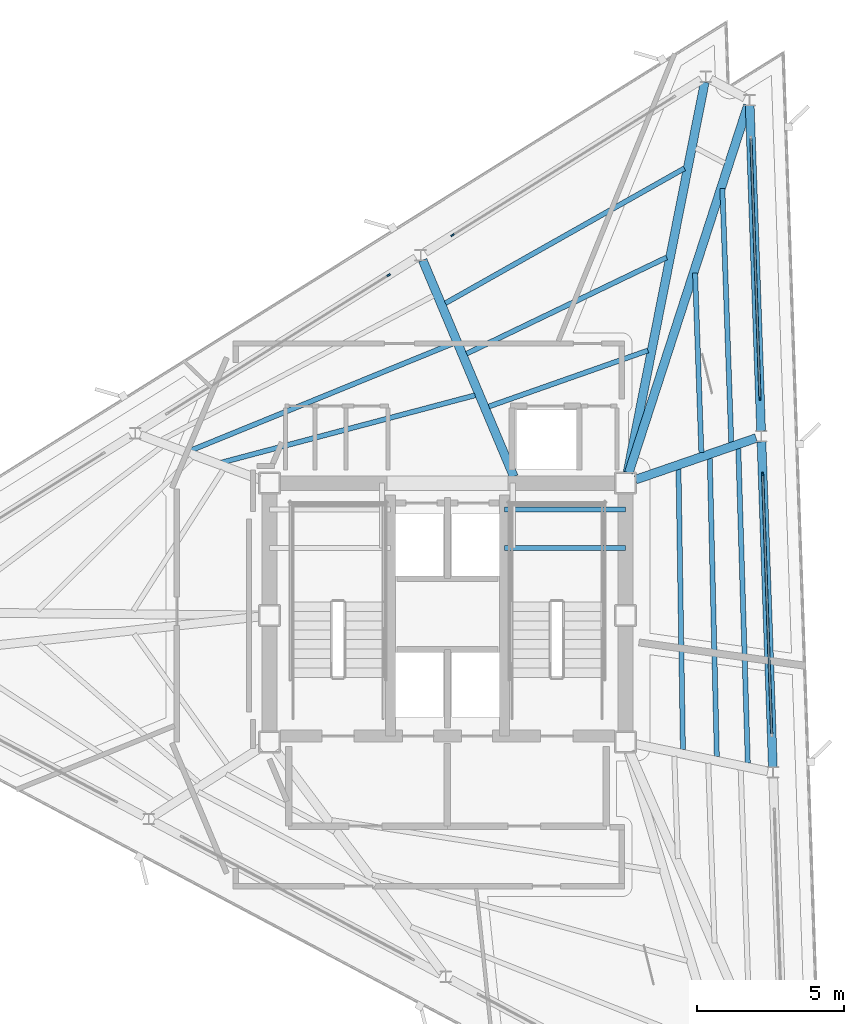
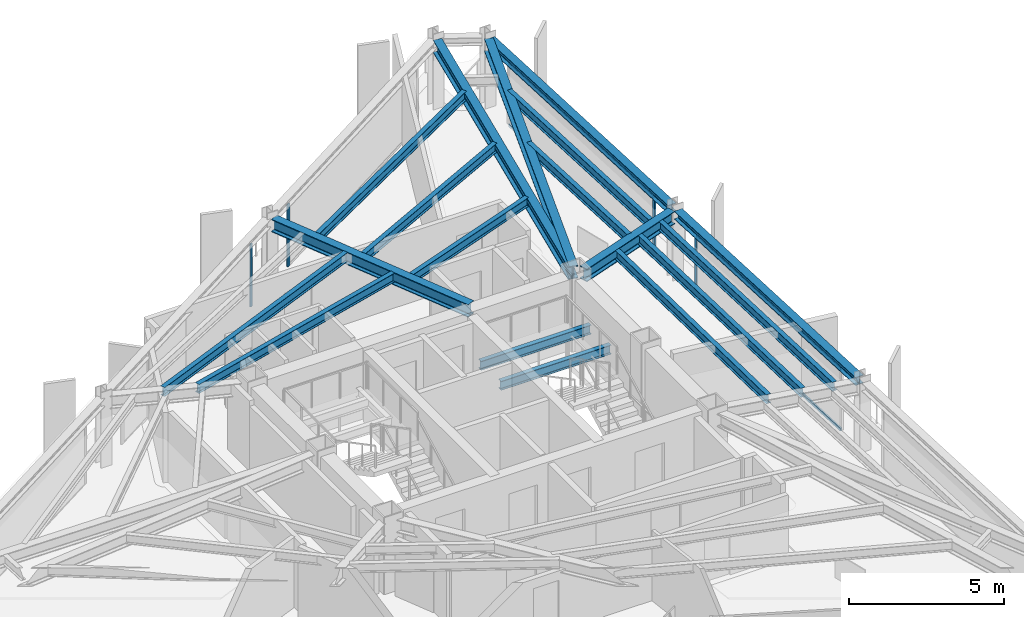
# One storey, part 5 of 13: 18 beams, 8 members, 4 elements without a shape of their own.
"""IFC4 building model written with IfcOpenShell, lengths in metres."""

from ifc_helpers import new_model, si_unit, direction, frame, origin, origin_2d, place, context, subcontext, project, spatial, rectangle, i_section, extrude, material, layer, layer_set, material_profile, profile_set, type_object, element, aggregate, save


model = new_model("IFC4")

# Units and contexts
model_context = context("Model", 3, precision=1e-05, world=origin(), true_north=direction((0.0, 1.0)))
body_context = subcontext(model_context, "Body", "Model", "MODEL_VIEW")
ifc_project = project(units=[si_unit("LENGTHUNIT", "METRE"), si_unit("AREAUNIT", "SQUARE_METRE"), si_unit("VOLUMEUNIT", "CUBIC_METRE"), si_unit("PLANEANGLEUNIT", "RADIAN"), si_unit("MASSUNIT", "GRAM", prefix="KILO")], contexts=[model_context])

# Site, building, storey
site_placement = place(None, origin())
site = spatial("IfcSite", under=ifc_project, at=site_placement, CompositionType="ELEMENT")
building_placement = place(site_placement, origin())
building = spatial("IfcBuilding", under=site, at=building_placement, Name="Rocaltana Carrier Exchange", CompositionType="ELEMENT")
storey_placement = place(building_placement, frame((0.0, 0.0, 202.719970703125)))
storey = spatial("IfcBuildingStorey", under=building, at=storey_placement, Name="L64", CompositionType="ELEMENT", Elevation=202.719970703125)

# Curtain wall, member
ifc_material_1 = material(Name="Aluminium 6063-T6", Category="aluminium")
ifc_layer = layer(ifc_material_1, 0.1201171875)
ifc_layer_set = layer_set([ifc_layer], Name="Aluminium 6063-T6")
curtain_wall_type = type_object("IfcCurtainWallType", Name="High-Altitude Thermal Curtain Wall CW-05", PredefinedType="NOTDEFINED", material=ifc_layer_set)
curtain_wall_1_placement = place(storey_placement, origin())
curtain_wall_1 = element("IfcCurtainWall", 1, at=curtain_wall_1_placement, inside=storey, type_object=curtain_wall_type, Name="L64 CW-05 Run CW-L64-F1S2", PredefinedType="NOTDEFINED")
ifc_material_2 = material(Name="Aluminium 6063-T6", Category="aluminium")
ifc_material_profile_1 = material_profile(ifc_material_2, rectangle(XDim=0.06005859375, YDim=0.1201171875, at=origin_2d()), Name="AL-60X120")
ifc_profile_set_1 = profile_set([ifc_material_profile_1], Name="Aluminium 6063-T6")
member_type_1 = type_object("IfcMemberType", Name="CW-05 Mullion AL-60X120", PredefinedType="MULLION", material=ifc_profile_set_1)
member_1_placement = place(storey_placement, frame((10.712890625, 4.8134765625, 0.0), z_axis=(0.0, 0.0, 1.0), x_axis=(-0.999390720156, -0.034902556738, 0.0)))
member_1 = element("IfcMember", 2, at=member_1_placement, type_object=member_type_1, Name="CW-05 mullion 2", PredefinedType="MULLION", context=body_context, shape_type="SweptSolid", body=[
    extrude(rectangle(XDim=0.06005859375, YDim=0.1201171875, at=origin_2d()), origin(), (0.0, 0.0, 1.0), 2.447998046875),
])

curtain_wall_2_placement = place(storey_placement, origin())
curtain_wall_2 = element("IfcCurtainWall", 3, at=curtain_wall_2_placement, inside=storey, type_object=curtain_wall_type, Name="L64 CW-05 Run CW-L64-F1S3", PredefinedType="NOTDEFINED")
member_2_placement = place(storey_placement, frame((10.62353515625, 7.371826171875, 0.0), z_axis=(0.0, 0.0, 1.0), x_axis=(-0.999390720156, -0.034902556738, 0.0)))
member_2 = element("IfcMember", 4, at=member_2_placement, type_object=member_type_1, Name="CW-05 mullion 1", PredefinedType="MULLION", context=body_context, shape_type="SweptSolid", body=[
    extrude(rectangle(XDim=0.06005859375, YDim=0.1201171875, at=origin_2d()), origin(), (0.0, 0.0, 1.0), 2.447998046875),
])

curtain_wall_3_placement = place(storey_placement, origin())
curtain_wall_3 = element("IfcCurtainWall", 5, at=curtain_wall_3_placement, inside=storey, type_object=curtain_wall_type, Name="L64 CW-05 Run CW-L64-F2S1", PredefinedType="NOTDEFINED")
member_3_placement = place(storey_placement, frame((0.171142578125, 12.9296875, 0.0), z_axis=(0.0, 0.0, 1.0), x_axis=(0.529928503412, -0.848042322807, 0.0)))
member_3 = element("IfcMember", 6, at=member_3_placement, type_object=member_type_1, Name="CW-05 mullion 2", PredefinedType="MULLION", context=body_context, shape_type="SweptSolid", body=[
    extrude(rectangle(XDim=0.06005859375, YDim=0.1201171875, at=origin_2d()), origin(), (0.0, 0.0, 1.0), 2.447998046875),
])
aggregate(curtain_wall_3, [member_3])

curtain_wall_4_placement = place(storey_placement, origin())
curtain_wall_4 = element("IfcCurtainWall", 7, at=curtain_wall_4_placement, inside=storey, type_object=curtain_wall_type, Name="L64 CW-05 Run CW-L64-F2S2", PredefinedType="NOTDEFINED")
member_4_placement = place(storey_placement, frame((-2.0, 11.572998046875, 0.0), z_axis=(0.0, 0.0, 1.0), x_axis=(0.529920452816, -0.848047353446, 0.0)))
member_4 = element("IfcMember", 8, at=member_4_placement, type_object=member_type_1, Name="CW-05 mullion 1", PredefinedType="MULLION", context=body_context, shape_type="SweptSolid", body=[
    extrude(rectangle(XDim=0.06005859375, YDim=0.1201171875, at=origin_2d()), origin(), (0.0, 0.0, 1.0), 2.447998046875),
])
aggregate(curtain_wall_4, [member_4])

# Member
ifc_material_3 = material(Name="Aluminium 6063-T6", Category="aluminium")
ifc_material_profile_2 = material_profile(ifc_material_3, rectangle(XDim=0.06005859375, YDim=0.1201171875, at=origin_2d()), Name="AL-60X120")
ifc_profile_set_2 = profile_set([ifc_material_profile_2], Name="Aluminium 6063-T6")
member_type_2 = type_object("IfcMemberType", Name="CW-05 Transom AL-60X120", PredefinedType="USERDEFINED", material=ifc_profile_set_2)
member_5_placement = place(storey_placement, frame((11.021484375, -4.024658203125, 0.030029296875), z_axis=(-0.034903051323, 0.999390702883, 0.0), x_axis=(-0.999390702883, -0.034903051323, 0.0)))
member_5 = element("IfcMember", 9, at=member_5_placement, type_object=member_type_2, Name="CW-05 transom 1.1", ObjectType="TRANSOM", PredefinedType="USERDEFINED", context=body_context, shape_type="SweptSolid", body=[
    extrude(rectangle(XDim=0.06005859375, YDim=0.1201171875, at=origin_2d()), origin(), (0.0, 0.0, 1.0), 8.8134765625),
])

member_6_placement = place(storey_placement, frame((11.021484375, -4.024658203125, 2.41796875), z_axis=(-0.034903051323, 0.999390702883, 0.0), x_axis=(-0.999390702883, -0.034903051323, 0.0)))
member_6 = element("IfcMember", 10, at=member_6_placement, type_object=member_type_2, Name="CW-05 transom 1.2", ObjectType="TRANSOM", PredefinedType="USERDEFINED", context=body_context, shape_type="SweptSolid", body=[
    extrude(rectangle(XDim=0.06005859375, YDim=0.1201171875, at=origin_2d()), origin(), (0.0, 0.0, 1.0), 8.8134765625),
])

aggregate(curtain_wall_1, [member_1, member_5, member_6])

member_7_placement = place(storey_placement, frame((10.62255859375, 7.40185546875, 0.030029296875), z_axis=(-0.034903051323, 0.999390702883, 0.0), x_axis=(-0.999390702883, -0.034903051323, 0.0)))
member_7 = element("IfcMember", 11, at=member_7_placement, type_object=member_type_2, Name="CW-05 transom 1.1", ObjectType="TRANSOM", PredefinedType="USERDEFINED", context=body_context, shape_type="SweptSolid", body=[
    extrude(rectangle(XDim=0.06005859375, YDim=0.1201171875, at=origin_2d()), origin(), (0.0, 0.0, 1.0), 8.8134765625),
])

member_8_placement = place(storey_placement, frame((10.62255859375, 7.40185546875, 2.41796875), z_axis=(-0.034903051323, 0.999390702883, 0.0), x_axis=(-0.999390702883, -0.034903051323, 0.0)))
member_8 = element("IfcMember", 12, at=member_8_placement, type_object=member_type_2, Name="CW-05 transom 1.2", ObjectType="TRANSOM", PredefinedType="USERDEFINED", context=body_context, shape_type="SweptSolid", body=[
    extrude(rectangle(XDim=0.06005859375, YDim=0.1201171875, at=origin_2d()), origin(), (0.0, 0.0, 1.0), 8.8134765625),
])

aggregate(curtain_wall_2, [member_2, member_7, member_8])

# Beams
ifc_material_4 = material(Name="Steel S355", Category="steel")
ifc_material_profile_3 = material_profile(ifc_material_4, i_section(OverallWidth=0.172119140625, OverallDepth=0.35791015625, WebThickness=0.0078125, FlangeThickness=0.01318359375, FilletRadius=0.011962890625, at=origin_2d()), Name="W14X38")
ifc_profile_set_3 = profile_set([ifc_material_profile_3], Name="Steel S355")
beam_type_1 = type_object("IfcBeamType", Name="Floor Joist W14X38", PredefinedType="JOIST", material=ifc_profile_set_3)
for number, where, z_axis, x_axis, name in (
    (13, (1.93994140625, 2.300048828125, 1.14111328125), (1.0, 0.0, 0.0), (0.0, 1.0, 0.0), "L64 ST-2 Landing Carrier 1"),
    (14, (1.93994140625, 3.60009765625, 1.14111328125), (1.0, 0.0, 0.0), (0.0, 1.0, 0.0), "L64 ST-2 Landing Carrier 2"),
):
    element("IfcBeam", number, at=place(storey_placement, frame(where, z_axis=z_axis, x_axis=x_axis)), inside=storey, type_object=beam_type_1, Name=name, PredefinedType="JOIST", context=body_context, shape_type="SweptSolid", body=[
        extrude(i_section(OverallWidth=0.172119140625, OverallDepth=0.35791015625, WebThickness=0.0078125, FlangeThickness=0.01318359375, FilletRadius=0.011962890625, at=origin_2d()), origin(), (0.0, 0.0, 1.0), 4.110107421875),
    ])
beam_1_placement = place(storey_placement, frame((8.00439453125, -4.55908203125, 2.619140625), z_axis=(-0.015819427731, 0.999874865024, 0.0), x_axis=(-0.999874865024, -0.015819427731, 0.0)))
element("IfcBeam", 15, at=beam_1_placement, inside=storey, type_object=beam_type_1, Name="FJ-L64-02-1", PredefinedType="JOIST", context=body_context, shape_type="SweptSolid", body=[
    extrude(i_section(OverallWidth=0.172119140625, OverallDepth=0.35791015625, WebThickness=0.0078125, FlangeThickness=0.01318359375, FilletRadius=0.011962890625, at=origin_2d()), origin(), (0.0, 0.0, 1.0), 9.53759765625),
])
beam_2_placement = place(storey_placement, frame((9.1572265625, -4.796875, 2.619140625), z_axis=(-0.023708273398, 0.999718919383, 0.0), x_axis=(-0.999718919383, -0.023708273398, 0.0)))
element("IfcBeam", 16, at=beam_2_placement, inside=storey, type_object=beam_type_1, Name="FJ-L64-02-2", PredefinedType="JOIST", context=body_context, shape_type="SweptSolid", body=[
    extrude(i_section(OverallWidth=0.172119140625, OverallDepth=0.35791015625, WebThickness=0.0078125, FlangeThickness=0.01318359375, FilletRadius=0.011962890625, at=origin_2d()), origin(), (0.0, 0.0, 1.0), 10.143310546875),
])
beam_3_placement = place(storey_placement, frame((10.2099609375, -5.013916015625, 2.619140625), z_axis=(-0.030150236213, 0.999545378288, 0.0), x_axis=(-0.999545378288, -0.030150236213, 0.0)))
element("IfcBeam", 17, at=beam_3_placement, inside=storey, type_object=beam_type_1, Name="FJ-L64-02-3", PredefinedType="JOIST", context=body_context, shape_type="SweptSolid", body=[
    extrude(i_section(OverallWidth=0.172119140625, OverallDepth=0.35791015625, WebThickness=0.0078125, FlangeThickness=0.01318359375, FilletRadius=0.011962890625, at=origin_2d()), origin(), (0.0, 0.0, 1.0), 10.69677734375),
])
beam_4_placement = place(storey_placement, frame((8.631103515625, 5.535888671875, 2.619140625), z_axis=(-0.034896830371, 0.999390920126, 0.0), x_axis=(-0.999390920126, -0.034896830371, 0.0)))
element("IfcBeam", 18, at=beam_4_placement, inside=storey, type_object=beam_type_1, Name="FJ-L64-03-2", PredefinedType="JOIST", context=body_context, shape_type="SweptSolid", body=[
    extrude(i_section(OverallWidth=0.172119140625, OverallDepth=0.35791015625, WebThickness=0.0078125, FlangeThickness=0.01318359375, FilletRadius=0.011962890625, at=origin_2d()), origin(), (0.0, 0.0, 1.0), 6.114501953125),
])
beam_5_placement = place(storey_placement, frame((9.647216796875, 5.88623046875, 2.619140625), z_axis=(-0.034909498386, 0.999390477703, 0.0), x_axis=(-0.999390477703, -0.034909498386, 0.0)))
element("IfcBeam", 19, at=beam_5_placement, inside=storey, type_object=beam_type_1, Name="FJ-L64-03-3", PredefinedType="JOIST", context=body_context, shape_type="SweptSolid", body=[
    extrude(i_section(OverallWidth=0.172119140625, OverallDepth=0.35791015625, WebThickness=0.0078125, FlangeThickness=0.01318359375, FilletRadius=0.011962890625, at=origin_2d()), origin(), (0.0, 0.0, 1.0), 8.630126953125),
])
beam_6_placement = place(storey_placement, frame((6.815673828125, 9.009521484375, 2.619140625), z_axis=(-0.943243231167, -0.332102705285, 0.0), x_axis=(0.332102705285, -0.943243231167, 0.0)))
element("IfcBeam", 20, at=beam_6_placement, inside=storey, type_object=beam_type_1, Name="FJ-L64-05-1", PredefinedType="JOIST", context=body_context, shape_type="SweptSolid", body=[
    extrude(i_section(OverallWidth=0.172119140625, OverallDepth=0.35791015625, WebThickness=0.0078125, FlangeThickness=0.01318359375, FilletRadius=0.011962890625, at=origin_2d()), origin(), (0.0, 0.0, 1.0), 5.732666015625),
])
beam_7_placement = place(storey_placement, frame((7.449951171875, 12.17138671875, 2.619140625), z_axis=(-0.90125874398, -0.433281290155, 0.0), x_axis=(0.433281290155, -0.90125874398, 0.0)))
element("IfcBeam", 21, at=beam_7_placement, inside=storey, type_object=beam_type_1, Name="FJ-L64-05-2", PredefinedType="JOIST", context=body_context, shape_type="SweptSolid", body=[
    extrude(i_section(OverallWidth=0.172119140625, OverallDepth=0.35791015625, WebThickness=0.0078125, FlangeThickness=0.01318359375, FilletRadius=0.011962890625, at=origin_2d()), origin(), (0.0, 0.0, 1.0), 7.543212890625),
])
beam_8_placement = place(storey_placement, frame((8.05517578125, 15.201171875, 2.619140625), z_axis=(-0.870951476943, -0.491369031187, 0.0), x_axis=(0.491369031187, -0.870951476943, 0.0)))
element("IfcBeam", 22, at=beam_8_placement, inside=storey, type_object=beam_type_1, Name="FJ-L64-05-3", PredefinedType="JOIST", context=body_context, shape_type="SweptSolid", body=[
    extrude(i_section(OverallWidth=0.172119140625, OverallDepth=0.35791015625, WebThickness=0.0078125, FlangeThickness=0.01318359375, FilletRadius=0.011962890625, at=origin_2d()), origin(), (0.0, 0.0, 1.0), 9.330078125),
])
beam_9_placement = place(storey_placement, frame((0.937744140625, 7.486083984375, 2.619140625), z_axis=(-0.966555608165, -0.256457123756, 0.0), x_axis=(0.256457123756, -0.966555608165, 0.0)))
element("IfcBeam", 23, at=beam_9_placement, inside=storey, type_object=beam_type_1, Name="FJ-L64-06-1", PredefinedType="JOIST", context=body_context, shape_type="SweptSolid", body=[
    extrude(i_section(OverallWidth=0.172119140625, OverallDepth=0.35791015625, WebThickness=0.0078125, FlangeThickness=0.01318359375, FilletRadius=0.011962890625, at=origin_2d()), origin(), (0.0, 0.0, 1.0), 8.92578125),
])
beam_10_placement = place(storey_placement, frame((0.192626953125, 9.25146484375, 2.619140625), z_axis=(-0.925846018296, -0.37790097963, 0.0), x_axis=(0.37790097963, -0.925846018296, 0.0)))
element("IfcBeam", 24, at=beam_10_placement, inside=storey, type_object=beam_type_1, Name="FJ-L64-06-2", PredefinedType="JOIST", context=body_context, shape_type="SweptSolid", body=[
    extrude(i_section(OverallWidth=0.172119140625, OverallDepth=0.35791015625, WebThickness=0.0078125, FlangeThickness=0.01318359375, FilletRadius=0.011962890625, at=origin_2d()), origin(), (0.0, 0.0, 1.0), 9.652587890625),
])
ifc_material_5 = material(Name="Steel S355", Category="steel")
ifc_material_profile_4 = material_profile(ifc_material_5, i_section(OverallWidth=0.300048828125, OverallDepth=0.320068359375, WebThickness=0.011474609375, FlangeThickness=0.0205078125, FilletRadius=0.027099609375, at=origin_2d()), Name="HEB320")
ifc_profile_set_4 = profile_set([ifc_material_profile_4], Name="Steel S355")
beam_type_2 = type_object("IfcBeamType", Name="Spandrel Edge Beam HEB320", PredefinedType="SPANDREL", material=ifc_profile_set_4)
beam_11_placement = place(storey_placement, frame((11.060791015625, -5.148193359375, 2.637939453125), z_axis=(-0.034892504549, 0.999391071166, 0.0), x_axis=(-0.999391071166, -0.034892504549, 0.0)))
element("IfcBeam", 25, at=beam_11_placement, inside=storey, type_object=beam_type_2, Name="SP-L64-02", PredefinedType="SPANDREL", context=body_context, shape_type="SweptSolid", body=[
    extrude(i_section(OverallWidth=0.300048828125, OverallDepth=0.320068359375, WebThickness=0.011474609375, FlangeThickness=0.0205078125, FilletRadius=0.027099609375, at=origin_2d()), origin(), (0.0, 0.0, 1.0), 11.062255859375),
])
beam_12_placement = place(storey_placement, frame((10.66162109375, 6.278076171875, 2.637939453125), z_axis=(-0.034891734961, 0.999391098035, 0.0), x_axis=(-0.999391098035, -0.034891734961, 0.0)))
element("IfcBeam", 26, at=beam_12_placement, inside=storey, type_object=beam_type_2, Name="SP-L64-03", PredefinedType="SPANDREL", context=body_context, shape_type="SweptSolid", body=[
    extrude(i_section(OverallWidth=0.300048828125, OverallDepth=0.320068359375, WebThickness=0.011474609375, FlangeThickness=0.0205078125, FilletRadius=0.027099609375, at=origin_2d()), origin(), (0.0, 0.0, 1.0), 11.0625),
])
ifc_material_6 = material(Name="Steel S355", Category="steel")
ifc_material_profile_5 = material_profile(ifc_material_6, i_section(OverallWidth=0.300048828125, OverallDepth=0.5, WebThickness=0.014404296875, FlangeThickness=0.028076171875, FilletRadius=0.027099609375, at=origin_2d()), Name="HEB500")
ifc_profile_set_5 = profile_set([ifc_material_profile_5], Name="Steel S355")
beam_type_3 = type_object("IfcBeamType", Name="Upper Radial Girder HEB500", PredefinedType="BEAM", material=ifc_profile_set_5)
beam_13_placement = place(storey_placement, frame((6.39697265625, 4.61962890625, 2.548095703125), z_axis=(0.945358609148, 0.326032360525, 0.0), x_axis=(-0.326032360525, 0.945358609148, 0.0)))
element("IfcBeam", 27, at=beam_13_placement, inside=storey, type_object=beam_type_3, Name="RG-L64-03", PredefinedType="BEAM", context=body_context, shape_type="SweptSolid", body=[
    extrude(i_section(OverallWidth=0.300048828125, OverallDepth=0.5, WebThickness=0.014404296875, FlangeThickness=0.028076171875, FilletRadius=0.027099609375, at=origin_2d()), origin(), (0.0, 0.0, 1.0), 4.332763671875),
])
beam_14_placement = place(storey_placement, frame((6.1630859375, 4.84912109375, 2.548095703125), z_axis=(0.308291934465, 0.951291797055, 0.0), x_axis=(-0.951291797055, 0.308291934465, 0.0)))
element("IfcBeam", 28, at=beam_14_placement, inside=storey, type_object=beam_type_3, Name="RG-L64-04", PredefinedType="BEAM", context=body_context, shape_type="SweptSolid", body=[
    extrude(i_section(OverallWidth=0.300048828125, OverallDepth=0.5, WebThickness=0.014404296875, FlangeThickness=0.028076171875, FilletRadius=0.027099609375, at=origin_2d()), origin(), (0.0, 0.0, 1.0), 13.133056640625),
])
beam_15_placement = place(storey_placement, frame((6.12109375, 4.860107421875, 2.548095703125), z_axis=(0.194046791862, 0.980992274469, 0.0), x_axis=(-0.980992274469, 0.194046791862, 0.0)))
element("IfcBeam", 29, at=beam_15_placement, inside=storey, type_object=beam_type_3, Name="RG-L64-05", PredefinedType="BEAM", context=body_context, shape_type="SweptSolid", body=[
    extrude(i_section(OverallWidth=0.300048828125, OverallDepth=0.5, WebThickness=0.014404296875, FlangeThickness=0.028076171875, FilletRadius=0.027099609375, at=origin_2d()), origin(), (0.0, 0.0, 1.0), 13.525146484375),
])
beam_16_placement = place(storey_placement, frame((2.256103515625, 4.722900390625, 2.548095703125), z_axis=(-0.388139028608, 0.921600832503, 0.0), x_axis=(-0.921600832503, -0.388139028608, 0.0)))
element("IfcBeam", 30, at=beam_16_placement, inside=storey, type_object=beam_type_3, Name="RG-L64-06", PredefinedType="BEAM", context=body_context, shape_type="SweptSolid", body=[
    extrude(i_section(OverallWidth=0.300048828125, OverallDepth=0.5, WebThickness=0.014404296875, FlangeThickness=0.028076171875, FilletRadius=0.027099609375, at=origin_2d()), origin(), (0.0, 0.0, 1.0), 7.9833984375),
])

save(model, "model.ifc")
